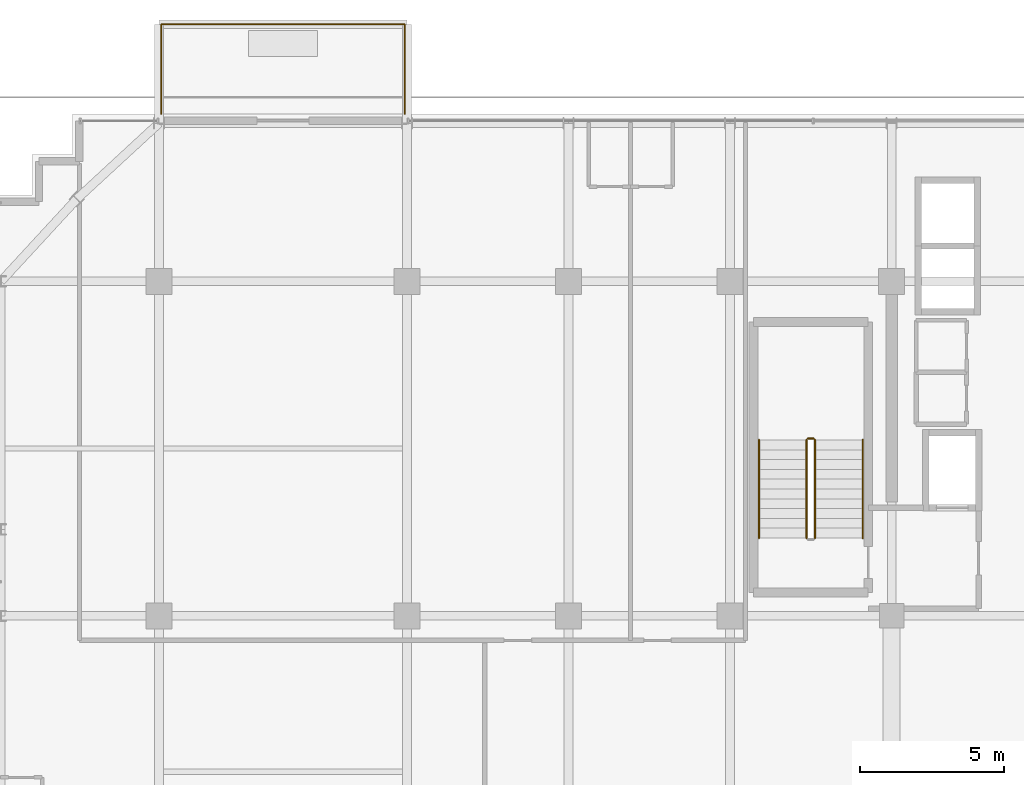
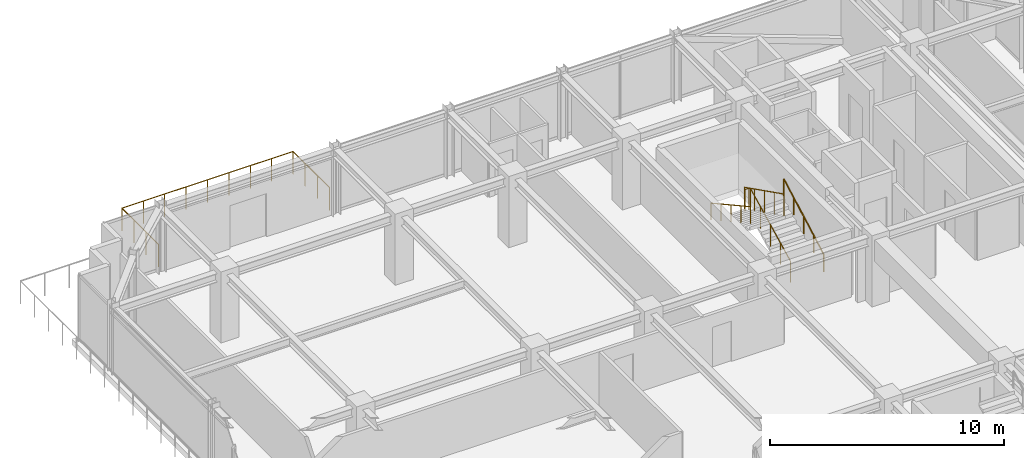
# One storey, part 31 of 32: 6 railings.
"""IFC4 building model written with IfcOpenShell, lengths in metres."""

from ifc_helpers import new_model, si_unit, direction, frame, origin, origin_2d, place, context, subcontext, project, spatial, circle, extrude, material, type_object, element, save


model = new_model("IFC4")

# Units and contexts
model_context = context("Model", 3, precision=1e-05, world=origin(), true_north=direction((0.0, 1.0)))
body_context = subcontext(model_context, "Body", "Model", "MODEL_VIEW")
ifc_project = project(units=[si_unit("LENGTHUNIT", "METRE"), si_unit("AREAUNIT", "SQUARE_METRE"), si_unit("VOLUMEUNIT", "CUBIC_METRE"), si_unit("PLANEANGLEUNIT", "RADIAN"), si_unit("MASSUNIT", "GRAM", prefix="KILO")], contexts=[model_context])

# Site, building, storey
site_placement = place(None, origin())
site = spatial("IfcSite", under=ifc_project, at=site_placement, CompositionType="ELEMENT")
building_placement = place(site_placement, origin())
building = spatial("IfcBuilding", under=site, at=building_placement, Name="Nahalor Promenade Grand Hotel", CompositionType="ELEMENT")
storey_placement = place(building_placement, frame((0.0, 0.0, 266.300048828125)))
storey = spatial("IfcBuildingStorey", under=building, at=storey_placement, Name="L68", CompositionType="ELEMENT", Elevation=266.300048828125)

# Railings
ifc_material_1 = material(Name="Anodised Bronze Aluminium EN AW-6063 T6", Category="aluminium")
railing_type_1 = type_object("IfcRailingType", Name="Bronze Balcony Guardrail 1200 mm", PredefinedType="GUARDRAIL", material=ifc_material_1)
railing_1_placement = place(storey_placement, frame((-16.919921875, 22.800048828125, 0.0)))
element("IfcRailing", 1, at=railing_1_placement, inside=storey, type_object=railing_type_1, Name="L68 Balcony Guardrail 1", PredefinedType="GUARDRAIL", context=body_context, shape_type="SweptSolid", body=[
    extrude(circle(Radius=0.024048, at=origin_2d()), frame((0.0, 0.0, 1.17578125), z_axis=(0.0, 1.0, 0.0), x_axis=(-1.0, 0.0, 0.0)), (0.0, 0.0, 1.0), 3.10791015625),
    extrude(circle(Radius=0.024048, at=origin_2d()), frame((0.001953125, 3.10986328125, 1.17578125), z_axis=(1.0, 0.0, 0.0), x_axis=(0.0, 1.0, 0.0)), (0.0, 0.0, 1.0), 8.43603515625),
    extrude(circle(Radius=0.024048, at=origin_2d()), frame((8.43994140625, 3.10791015625, 1.17578125), z_axis=(0.0, -1.0, 0.0), x_axis=(1.0, 0.0, 0.0)), (0.0, 0.0, 1.0), 3.10791015625),
    extrude(circle(Radius=0.020996, at=origin_2d()), origin(), (0.0, 0.0, 1.0), 1.14990234375),
    extrude(circle(Radius=0.020996, at=origin_2d()), frame((0.0, 1.03662109375, 0.0)), (0.0, 0.0, 1.0), 1.14990234375),
    extrude(circle(Radius=0.020996, at=origin_2d()), frame((0.0, 2.0732421875, 0.0)), (0.0, 0.0, 1.0), 1.14990234375),
    extrude(circle(Radius=0.020996, at=origin_2d()), frame((0.0, 3.10986328125, 0.0)), (0.0, 0.0, 1.0), 1.14990234375),
    extrude(circle(Radius=0.020996, at=origin_2d()), frame((1.054931640625, 3.10986328125, 0.0)), (0.0, 0.0, 1.0), 1.14990234375),
    extrude(circle(Radius=0.020996, at=origin_2d()), frame((2.10986328125, 3.10986328125, 0.0)), (0.0, 0.0, 1.0), 1.14990234375),
    extrude(circle(Radius=0.020996, at=origin_2d()), frame((3.1650390625, 3.10986328125, 0.0)), (0.0, 0.0, 1.0), 1.14990234375),
    extrude(circle(Radius=0.020996, at=origin_2d()), frame((4.219970703125, 3.10986328125, 0.0)), (0.0, 0.0, 1.0), 1.14990234375),
    extrude(circle(Radius=0.020996, at=origin_2d()), frame((5.27490234375, 3.10986328125, 0.0)), (0.0, 0.0, 1.0), 1.14990234375),
    extrude(circle(Radius=0.020996, at=origin_2d()), frame((6.330078125, 3.10986328125, 0.0)), (0.0, 0.0, 1.0), 1.14990234375),
    extrude(circle(Radius=0.020996, at=origin_2d()), frame((7.385009765625, 3.10986328125, 0.0)), (0.0, 0.0, 1.0), 1.14990234375),
    extrude(circle(Radius=0.020996, at=origin_2d()), frame((8.43994140625, 3.10986328125, 0.0)), (0.0, 0.0, 1.0), 1.14990234375),
    extrude(circle(Radius=0.020996, at=origin_2d()), frame((8.43994140625, 2.0732421875, 0.0)), (0.0, 0.0, 1.0), 1.14990234375),
    extrude(circle(Radius=0.020996, at=origin_2d()), frame((8.43994140625, 1.03662109375, 0.0)), (0.0, 0.0, 1.0), 1.14990234375),
    extrude(circle(Radius=0.020996, at=origin_2d()), frame((8.43994140625, 0.0, 0.0)), (0.0, 0.0, 1.0), 1.14990234375),
])
ifc_material_2 = material(Name="Steel S355JR", Category="steel")
railing_type_2 = type_object("IfcRailingType", Name="Steel Stair Guardrail 1150 mm", PredefinedType="GUARDRAIL", material=ifc_material_2)
railing_2_placement = place(storey_placement, frame((5.75, 8.10009765625, 0.17041015625)))
element("IfcRailing", 2, at=railing_2_placement, inside=storey, type_object=railing_type_2, Name="L68 ST1 stair guard 1", PredefinedType="GUARDRAIL", context=body_context, shape_type="SweptSolid", body=[
    extrude(circle(Radius=0.024048, at=origin_2d()), frame((0.0, 0.0, 1.1259765625), z_axis=(0.0, 0.89393879905, 0.448189048899), x_axis=(-1.0, 0.0, 0.0)), (0.0, 0.0, 1.0), 3.80322265625),
    extrude(circle(Radius=0.020996, at=origin_2d()), origin(), (0.0, 0.0, 1.0), 1.099853515625),
    extrude(circle(Radius=0.020996, at=origin_2d()), frame((0.0, 0.85009765625, 0.42626953125)), (0.0, 0.0, 1.0), 1.099853515625),
    extrude(circle(Radius=0.020996, at=origin_2d()), frame((0.0, 1.699951171875, 0.852294921875)), (0.0, 0.0, 1.0), 1.099853515625),
    extrude(circle(Radius=0.020996, at=origin_2d()), frame((0.0, 2.5498046875, 1.2783203125)), (0.0, 0.0, 1.0), 1.099853515625),
    extrude(circle(Radius=0.020996, at=origin_2d()), frame((0.0, 3.39990234375, 1.70458984375)), (0.0, 0.0, 1.0), 1.099853515625),
])
railing_3_placement = place(storey_placement, frame((5.699951171875, 11.550048828125, 1.875)))
element("IfcRailing", 3, at=railing_3_placement, inside=storey, type_object=railing_type_2, Name="L68 ST1 stair guard 2", PredefinedType="GUARDRAIL", context=body_context, shape_type="SweptSolid", body=[
    extrude(circle(Radius=0.024048, at=origin_2d()), frame((0.0, 0.0, 1.1259765625), z_axis=(-1.0, 0.0, 0.0), x_axis=(0.0, -1.0, 0.0)), (0.0, 0.0, 1.0), 0.199951171875),
    extrude(circle(Radius=0.020996, at=origin_2d()), origin(), (0.0, 0.0, 1.0), 1.099853515625),
    extrude(circle(Radius=0.020996, at=origin_2d()), frame((-0.199951171875, 0.0, 0.0)), (0.0, 0.0, 1.0), 1.099853515625),
])
railing_4_placement = place(storey_placement, frame((5.449951171875, 11.5, 2.04541015625)))
element("IfcRailing", 4, at=railing_4_placement, inside=storey, type_object=railing_type_2, Name="L68 ST1 stair guard 3", PredefinedType="GUARDRAIL", context=body_context, shape_type="SweptSolid", body=[
    extrude(circle(Radius=0.024048, at=origin_2d()), frame((0.0, 0.0, 1.1259765625), z_axis=(0.0, -0.89393879905, 0.448189048899), x_axis=(1.0, 0.0, 0.0)), (0.0, 0.0, 1.0), 3.80322265625),
    extrude(circle(Radius=0.020996, at=origin_2d()), origin(), (0.0, 0.0, 1.0), 1.099853515625),
    extrude(circle(Radius=0.020996, at=origin_2d()), frame((0.0, -0.85009765625, 0.42626953125)), (0.0, 0.0, 1.0), 1.099853515625),
    extrude(circle(Radius=0.020996, at=origin_2d()), frame((0.0, -1.699951171875, 0.852294921875)), (0.0, 0.0, 1.0), 1.099853515625),
    extrude(circle(Radius=0.020996, at=origin_2d()), frame((0.0, -2.5498046875, 1.2783203125)), (0.0, 0.0, 1.0), 1.099853515625),
    extrude(circle(Radius=0.020996, at=origin_2d()), frame((0.0, -3.39990234375, 1.70458984375)), (0.0, 0.0, 1.0), 1.099853515625),
])
railing_type_3 = type_object("IfcRailingType", Name="Steel Stair Handrail 900 mm", PredefinedType="HANDRAIL", material=ifc_material_2)
railing_5_placement = place(storey_placement, frame((7.39990234375, 8.10009765625, 0.17041015625)))
element("IfcRailing", 5, at=railing_5_placement, inside=storey, type_object=railing_type_3, Name="L68 ST1 stair handrail 1", PredefinedType="HANDRAIL", context=body_context, shape_type="SweptSolid", body=[
    extrude(circle(Radius=0.024048, at=origin_2d()), frame((0.0, 0.0, 0.8759765625), z_axis=(0.0, 0.875665712831, 0.482917756322), x_axis=(-1.0, 0.0, 0.0)), (0.0, 0.0, 1.0), 3.882568359375),
    extrude(circle(Radius=0.020996, at=origin_2d()), origin(), (0.0, 0.0, 1.0), 0.849853515625),
    extrude(circle(Radius=0.020996, at=origin_2d()), frame((0.0, 0.85009765625, 0.46875)), (0.0, 0.0, 1.0), 0.849853515625),
    extrude(circle(Radius=0.020996, at=origin_2d()), frame((0.0, 1.699951171875, 0.9375)), (0.0, 0.0, 1.0), 0.849853515625),
    extrude(circle(Radius=0.020996, at=origin_2d()), frame((0.0, 2.5498046875, 1.40625)), (0.0, 0.0, 1.0), 0.849853515625),
    extrude(circle(Radius=0.020996, at=origin_2d()), frame((0.0, 3.39990234375, 1.875)), (0.0, 0.0, 1.0), 0.849853515625),
])
railing_6_placement = place(storey_placement, frame((3.800048828125, 11.5, 2.04541015625)))
element("IfcRailing", 6, at=railing_6_placement, inside=storey, type_object=railing_type_3, Name="L68 ST1 stair handrail 2", PredefinedType="HANDRAIL", context=body_context, shape_type="SweptSolid", body=[
    extrude(circle(Radius=0.024048, at=origin_2d()), frame((0.0, 0.0, 0.8759765625), z_axis=(0.0, -0.875665712831, 0.482917756322), x_axis=(1.0, 0.0, 0.0)), (0.0, 0.0, 1.0), 3.882568359375),
    extrude(circle(Radius=0.020996, at=origin_2d()), origin(), (0.0, 0.0, 1.0), 0.849853515625),
    extrude(circle(Radius=0.020996, at=origin_2d()), frame((0.0, -0.85009765625, 0.46875)), (0.0, 0.0, 1.0), 0.849853515625),
    extrude(circle(Radius=0.020996, at=origin_2d()), frame((0.0, -1.699951171875, 0.9375)), (0.0, 0.0, 1.0), 0.849853515625),
    extrude(circle(Radius=0.020996, at=origin_2d()), frame((0.0, -2.5498046875, 1.40625)), (0.0, 0.0, 1.0), 0.849853515625),
    extrude(circle(Radius=0.020996, at=origin_2d()), frame((0.0, -3.39990234375, 1.875)), (0.0, 0.0, 1.0), 0.849853515625),
])

save(model, "model.ifc")
